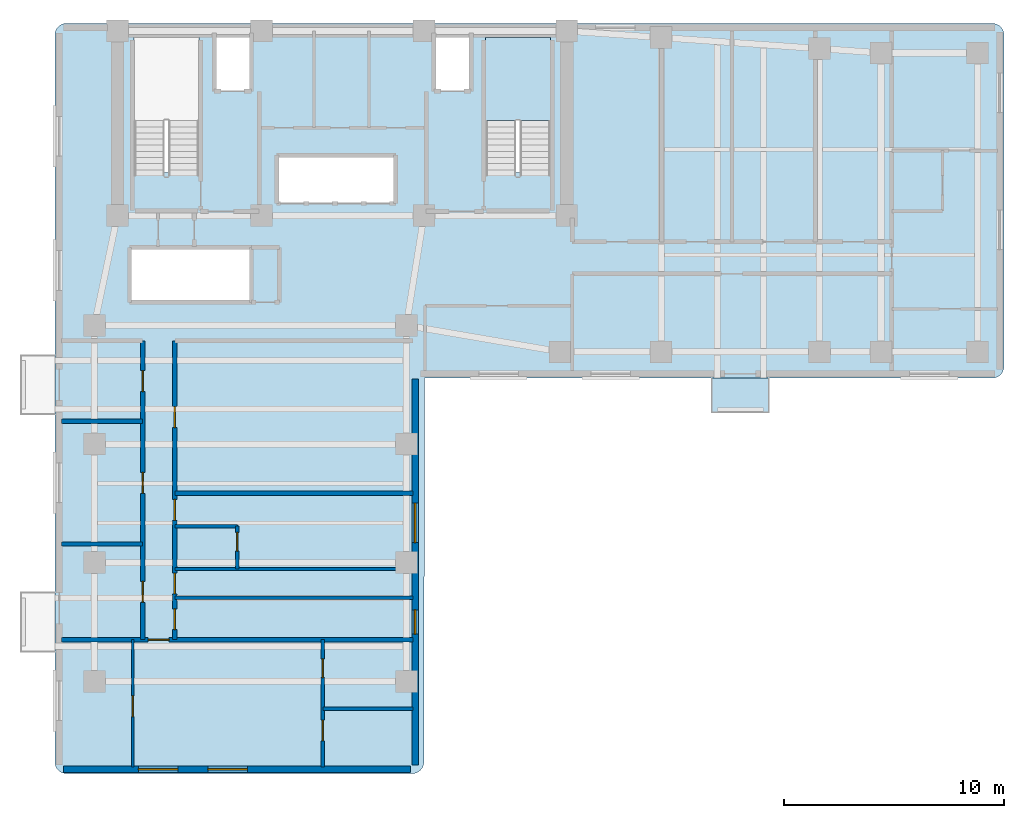
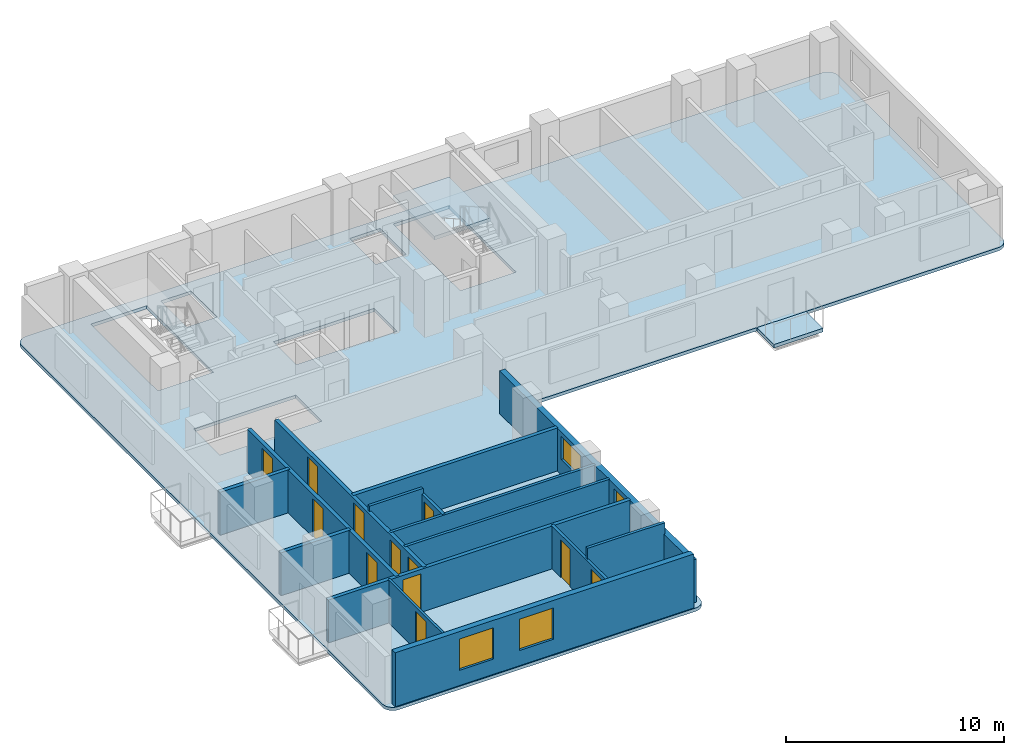
# One storey, part 2 of 7: 15 walls, 12 doors, 4 windows, 3 slabs, 16 openings, 1 element without a shape of its own.
"""IFC4 building model written with IfcOpenShell, lengths in metres."""

import ifcopenshell
import ifcopenshell.guid

model = None  # the IFC model being written
_history = None  # IfcOwnerHistory: only IFC2X3 demands one
_inside = {}  # id of a spatial element -> (the spatial element, [elements in it])
_under = {}  # id of a project, library or spatial element -> (it, [spatial elements below it])
_declared = {}  # id of a project -> (the project, [libraries it declares])
_typed = {}  # id of a type object -> (the type object, [elements of that type])
_made_of = {}  # id of a material, layer set ... -> (it, [elements and type objects made of it])


def new_model(schema):
    """Start an empty IFC model of exactly this schema.

    Asked for "IFC4X3", IfcOpenShell would pick the latest addendum, in which some entities
    have other attributes; the version numbers below select the first issue.
    IFC2X3 requires an IfcOwnerHistory on every rooted entity: one is made here for all.
    """
    global model, _history
    if schema == "IFC4X3":
        model = ifcopenshell.file(schema_version=(4, 3, 0, 0))
    else:
        model = ifcopenshell.file(schema=schema)
    _inside.clear()
    _under.clear()
    _declared.clear()
    _typed.clear()
    _made_of.clear()
    _history = None
    if model.schema == "IFC2X3":
        org = make("IfcOrganization", Name="unknown")
        user = make(
            "IfcPersonAndOrganization",
            ThePerson=make("IfcPerson", FamilyName="unknown"),
            TheOrganization=org,
        )
        app = make(
            "IfcApplication",
            ApplicationDeveloper=org,
            Version="unknown",
            ApplicationFullName="unknown",
            ApplicationIdentifier="unknown",
        )
        _history = make(
            "IfcOwnerHistory",
            OwningUser=user,
            OwningApplication=app,
            ChangeAction="ADDED",
            CreationDate=0,
        )
    return model


def make(cls, **values):
    """One entity of the class cls with the attributes given. An attribute that is None is left unset."""
    return model.create_entity(
        cls, **{name: value for name, value in values.items() if value is not None}
    )


def rooted(cls, **values):
    """An entity with a GlobalId (a new one), such as an element, a storey or a relation."""
    return make(cls, GlobalId=ifcopenshell.guid.new(), OwnerHistory=_history, **values)


def si_unit(unit_type, name, prefix=None):
    """IfcSIUnit, for example si_unit("LENGTHUNIT", "METRE", prefix="MILLI")."""
    return make("IfcSIUnit", UnitType=unit_type, Prefix=prefix, Name=name)


def assignment(units):
    """IfcUnitAssignment: the units of a project."""
    return None if units is None else make("IfcUnitAssignment", Units=units)


def point(xyz):
    """IfcCartesianPoint."""
    return None if xyz is None else make("IfcCartesianPoint", Coordinates=xyz)


def direction(xyz):
    """IfcDirection."""
    return None if xyz is None else make("IfcDirection", DirectionRatios=xyz)


def frame(location, z_axis=None, x_axis=None):
    """IfcAxis2Placement3D, a coordinate frame: its origin and axes. An axis left out is left unset."""
    return make(
        "IfcAxis2Placement3D",
        Location=point(location),
        Axis=direction(z_axis),
        RefDirection=direction(x_axis),
    )


def frame_2d(location, x_axis=None):
    """IfcAxis2Placement2D, a coordinate frame in the plane: its origin and x axis."""
    return make(
        "IfcAxis2Placement2D", Location=point(location), RefDirection=direction(x_axis)
    )


def origin():
    """The frame at (0, 0, 0) with its axes left unset."""
    return frame((0.0, 0.0, 0.0))


def place(relative_to, where):
    """IfcLocalPlacement: puts the frame where relative to a parent placement (None: the world)."""
    return make(
        "IfcLocalPlacement", PlacementRelTo=relative_to, RelativePlacement=where
    )


def context(
    kind, dimensions, precision=None, world=None, true_north=None, identifier=None
):
    """IfcGeometricRepresentationContext, for example the 3D "Model" context."""
    return make(
        "IfcGeometricRepresentationContext",
        ContextIdentifier=identifier,
        ContextType=kind,
        CoordinateSpaceDimension=dimensions,
        Precision=precision,
        WorldCoordinateSystem=world,
        TrueNorth=true_north,
    )


def subcontext(parent, identifier, kind, view, scale=None):
    """IfcGeometricRepresentationSubContext, for example "Body" below "Model"."""
    return make(
        "IfcGeometricRepresentationSubContext",
        ContextIdentifier=identifier,
        ContextType=kind,
        ParentContext=parent,
        TargetScale=scale,
        TargetView=view,
    )


def project(units=None, contexts=None):
    """IfcProject with its units and contexts."""
    return rooted(
        "IfcProject",
        Name="project",
        RepresentationContexts=contexts,
        UnitsInContext=assignment(units),
    )


def spatial(cls, under=None, at=None, **own):
    """A site, building, storey or space (cls), placed at a placement, below another one or the project."""
    s = rooted(cls, ObjectPlacement=at, **own)
    if under is not None:
        _under.setdefault(under.id(), (under, []))[1].append(s)
    return s


def polyline(points):
    """IfcPolyline through the points."""
    return make("IfcPolyline", Points=[point(p) for p in points])


def profile(cls, at=None, kind="AREA", **sizes):
    """A parametric profile (cls). Its sizes go by their IFC names, for example OverallWidth=200.0."""
    return make(cls, ProfileType=kind, Position=at, **sizes)


def rectangle(**sizes):
    """IfcRectangleProfileDef."""
    return profile("IfcRectangleProfileDef", **sizes)


def outline(outer, holes=None, kind="AREA"):
    """IfcArbitraryClosedProfileDef: a profile drawn as a closed curve; with holes, ...WithVoids."""
    if holes is None:
        return make("IfcArbitraryClosedProfileDef", ProfileType=kind, OuterCurve=outer)
    return make(
        "IfcArbitraryProfileDefWithVoids",
        ProfileType=kind,
        OuterCurve=outer,
        InnerCurves=holes,
    )


def extrude(swept, where, along, depth):
    """IfcExtrudedAreaSolid: the profile swept, set in the frame where, extruded along a direction by depth."""
    return make(
        "IfcExtrudedAreaSolid",
        SweptArea=swept,
        Position=where,
        ExtrudedDirection=direction(along),
        Depth=depth,
    )


def shape(context_of_items, identifier, shape_type, items):
    """IfcShapeRepresentation: the items that make up one representation, for example the "Body"."""
    return make(
        "IfcShapeRepresentation",
        ContextOfItems=context_of_items,
        RepresentationIdentifier=identifier,
        RepresentationType=shape_type,
        Items=items,
    )


def material(Name=None, Category=None):
    """IfcMaterial."""
    return make("IfcMaterial", Name=Name, Category=Category)


def layer(
    of_material, thickness, ventilated=None, Name=None, Category=None, Priority=None
):
    """IfcMaterialLayer: one layer of a wall or slab, of a material (None: an air gap)."""
    return make(
        "IfcMaterialLayer",
        Material=of_material,
        LayerThickness=thickness,
        IsVentilated=ventilated,
        Name=Name,
        Category=Category,
        Priority=Priority,
    )


def layer_set(layers, Name=None):
    """IfcMaterialLayerSet."""
    return make("IfcMaterialLayerSet", MaterialLayers=layers, LayerSetName=Name)


def made_of(thing, what):
    """Note that an element or type object is made of a material, layer set ...; save() writes the relation."""
    if what is not None:
        _made_of.setdefault(what.id(), (what, []))[1].append(thing)
    return thing


def type_object(cls, material=None, **own):
    """A type object (cls), such as IfcWallType, which elements share."""
    return made_of(rooted(cls, **own), material)


def element(
    cls,
    number,
    at=None,
    inside=None,
    cuts=None,
    type_object=None,
    material=None,
    context=None,
    identifier="Body",
    shape_type=None,
    held_by="IfcProductDefinitionShape",
    body=None,
    shapes=None,
    **own,
):
    """One element of the class cls, such as IfcWall. Its Tag is "e" and its number.

    at: its placement. inside: the storey or other place that contains it. cuts: it is an
    opening in that element (IfcRelVoidsElement). A single representation is given by context,
    identifier, shape_type and body (its items); several are given by shapes. held_by: the class
    of the entity that holds the representations. save() writes the other relations.
    """
    e = rooted(cls, Tag="e%d" % number, ObjectPlacement=at, **own)
    if body is not None:
        shapes = [shape(context, identifier, shape_type, body)]
    if shapes is not None:
        e.Representation = make(held_by, Representations=shapes)
    if inside is not None:
        _inside.setdefault(inside.id(), (inside, []))[1].append(e)
    if cuts is not None:
        rooted(
            "IfcRelVoidsElement", RelatingBuildingElement=cuts, RelatedOpeningElement=e
        )
    if type_object is not None:
        _typed.setdefault(type_object.id(), (type_object, []))[1].append(e)
    return made_of(e, material)


def fill(opening, filler):
    """IfcRelFillsElement: the door or window that sits in an opening."""
    return rooted(
        "IfcRelFillsElement",
        RelatingOpeningElement=opening,
        RelatedBuildingElement=filler,
    )


def aggregate(whole, parts):
    """IfcRelAggregates: a whole, such as a stair, and the parts it consists of."""
    return rooted("IfcRelAggregates", RelatingObject=whole, RelatedObjects=parts)


def save(model, path):
    """Write the relations noted so far, then the file.

    IfcRelAggregates (storeys below a building ...), IfcRelContainedInSpatialStructure (elements
    in a storey), IfcRelDefinesByType, IfcRelAssociatesMaterial and IfcRelDeclares: one each for
    every whole, place, type object, material and project.
    """
    for whole, parts in _under.values():
        aggregate(whole, parts)
    for where, things in _inside.values():
        rooted(
            "IfcRelContainedInSpatialStructure",
            RelatedElements=things,
            RelatingStructure=where,
        )
    for kind, things in _typed.values():
        rooted("IfcRelDefinesByType", RelatedObjects=things, RelatingType=kind)
    for what, things in _made_of.values():
        rooted("IfcRelAssociatesMaterial", RelatedObjects=things, RelatingMaterial=what)
    for by, libraries in _declared.values():
        rooted("IfcRelDeclares", RelatingContext=by, RelatedDefinitions=libraries)
    model.write(path)


model = new_model("IFC4")

# Units and contexts
model_context = context("Model", 3, precision=1e-05, world=origin(), true_north=direction((0.0, 1.0)))
body_context = subcontext(model_context, "Body", "Model", "MODEL_VIEW")
ifc_project = project(units=[si_unit("LENGTHUNIT", "METRE"), si_unit("AREAUNIT", "SQUARE_METRE"), si_unit("VOLUMEUNIT", "CUBIC_METRE"), si_unit("PLANEANGLEUNIT", "RADIAN"), si_unit("MASSUNIT", "GRAM", prefix="KILO")], contexts=[model_context])

# Site, building, storey
site_placement = place(None, origin())
site = spatial("IfcSite", under=ifc_project, at=site_placement, CompositionType="ELEMENT")
building_placement = place(site_placement, origin())
building = spatial("IfcBuilding", under=site, at=building_placement, Name="Kuzgunbayir Cultural Tower", CompositionType="ELEMENT")
storey_placement = place(building_placement, frame((0.0, 0.0, 113.800048828125)))
storey = spatial("IfcBuildingStorey", under=building, at=storey_placement, Name="L32", CompositionType="ELEMENT", Elevation=113.800048828125)

# Slab
ifc_material_1 = material(Name="Concrete C40/50", Category="concrete")
ifc_layer_1 = layer(ifc_material_1, 0.199951171875)
ifc_layer_set_1 = layer_set([ifc_layer_1], Name="Concrete C40/50")
slab_type_1 = type_object("IfcSlabType", Name="SLB-BAL-STONE", PredefinedType="FLOOR", material=ifc_layer_set_1)
slab_1_placement = place(storey_placement, frame((0.0, 0.0, -0.199951171875)))
element("IfcSlab", 1, at=slab_1_placement, inside=storey, type_object=slab_type_1, Name="L32 Projecting Limestone Balcony BAL-L32-WB2", PredefinedType="FLOOR", context=body_context, shape_type="SweptSolid", body=[
    extrude(outline(polyline([(33.5, 24.840087890625), (36.10009765625, 24.840087890625), (36.10009765625, 26.39990234375), (33.5, 26.39990234375), (33.5, 24.840087890625)])), origin(), (0.0, 0.0, 1.0), 0.199951171875),
])

# Stair, slab
stair_type = type_object("IfcStairType", Name="STR-EXIT-CORE", PredefinedType="HALF_TURN_STAIR", material=ifc_material_1)
stair_placement = place(storey_placement, origin())
stair = element("IfcStair", 2, at=stair_placement, inside=storey, type_object=stair_type, Name="L32 ST-2", PredefinedType="HALF_TURN_STAIR")
ifc_layer_2 = layer(ifc_material_1, 0.179931640625)
ifc_layer_set_2 = layer_set([ifc_layer_2], Name="Concrete C40/50")
slab_type_2 = type_object("IfcSlabType", Name="SLB-LANDING-180", PredefinedType="LANDING", material=ifc_layer_set_2)
slab_2_placement = place(storey_placement, frame((0.0, 0.0, 1.39990234375)))
slab_2 = element("IfcSlab", 3, at=slab_2_placement, type_object=slab_type_2, Name="ST-2 landing 1", PredefinedType="LANDING", context=body_context, shape_type="SweptSolid", body=[
    extrude(outline(polyline([(26.159912109375, 38.1201171875), (26.159912109375, 41.89990234375), (23.199951171875, 41.89990234375), (23.199951171875, 38.1201171875), (26.159912109375, 38.1201171875)])), origin(), (0.0, 0.0, 1.0), 0.199951171875),
])
aggregate(stair, [slab_2])

# Slab
ifc_layer_3 = layer(ifc_material_1, 0.179931640625)
ifc_layer_set_3 = layer_set([ifc_layer_3], Name="Concrete C40/50")
slab_type_3 = type_object("IfcSlabType", Name="SLB-TYP-180", PredefinedType="FLOOR", material=ifc_layer_set_3)
slab_3_placement = place(storey_placement, frame((0.0, 0.0, -0.179931640625)))
element("IfcSlab", 4, at=slab_3_placement, inside=storey, type_object=slab_type_3, Name="L32 Tower 1 Floor Slab T1-MAIN", PredefinedType="FLOOR", context=body_context, shape_type="SweptSolid", body=[
    extrude(outline(polyline([(20.39990234375, 8.949951171875), (20.389892578125, 8.840087890625), (20.360107421875, 8.739990234375), (20.31005859375, 8.639892578125), (20.239990234375, 8.56005859375), (20.159912109375, 8.489990234375), (20.06005859375, 8.43994140625), (19.9599609375, 8.409912109375), (19.85009765625, 8.39990234375), (4.14990234375, 8.39990234375), (4.0400390625, 8.409912109375), (3.93994140625, 8.43994140625), (3.840087890625, 8.489990234375), (3.760009765625, 8.56005859375), (3.68994140625, 8.639892578125), (3.639892578125, 8.739990234375), (3.610107421875, 8.840087890625), (3.60009765625, 8.949951171875), (3.60009765625, 42.0), (3.610107421875, 42.110107421875), (3.639892578125, 42.2099609375), (3.68994140625, 42.31005859375), (3.760009765625, 42.389892578125), (3.840087890625, 42.4599609375), (3.93994140625, 42.510009765625), (4.0400390625, 42.5400390625), (4.14990234375, 42.550048828125), (46.25, 42.550048828125), (46.360107421875, 42.5400390625), (46.4599609375, 42.510009765625), (46.56005859375, 42.4599609375), (46.639892578125, 42.389892578125), (46.7099609375, 42.31005859375), (46.760009765625, 42.2099609375), (46.7900390625, 42.110107421875), (46.800048828125, 42.0), (46.800048828125, 26.949951171875), (46.7900390625, 26.840087890625), (46.760009765625, 26.739990234375), (46.7099609375, 26.639892578125), (46.639892578125, 26.56005859375), (46.56005859375, 26.489990234375), (46.4599609375, 26.43994140625), (46.360107421875, 26.409912109375), (46.25, 26.39990234375), (20.429931640625, 26.39990234375), (20.39990234375, 8.949951171875)]), holes=[polyline([(7.199951171875, 35.760009765625), (7.199951171875, 41.89990234375), (10.159912109375, 41.89990234375), (10.159912109375, 35.760009765625), (7.199951171875, 35.760009765625)]), polyline([(23.199951171875, 35.760009765625), (23.199951171875, 41.89990234375), (26.159912109375, 41.89990234375), (26.159912109375, 35.760009765625), (23.199951171875, 35.760009765625)]), polyline([(13.75, 34.39990234375), (13.75, 36.5), (19.080078125, 36.5), (19.080078125, 34.39990234375), (13.75, 34.39990234375)]), polyline([(7.10009765625, 29.89990234375), (7.10009765625, 32.300048828125), (12.5, 32.300048828125), (12.5, 29.89990234375), (7.10009765625, 29.89990234375)]), polyline([(10.89990234375, 39.5), (10.89990234375, 41.89990234375), (12.5, 41.89990234375), (12.5, 39.5), (10.89990234375, 39.5)]), polyline([(20.89990234375, 39.5), (20.89990234375, 41.89990234375), (22.5, 41.89990234375), (22.5, 39.5), (20.89990234375, 39.5)])]), origin(), (0.0, 0.0, 1.0), 0.179931640625),
])

# Wall, openings, windows
ifc_material_2 = material(Name="Anatolian Cream Limestone", Category="masonry")
ifc_layer_4 = layer(ifc_material_2, 0.300048828125)
ifc_layer_set_4 = layer_set([ifc_layer_4], Name="Anatolian Cream Limestone")
wall_type_1 = type_object("IfcWallType", Name="WAL-EXT-STONE-300", PredefinedType="STANDARD", material=ifc_layer_set_4)
wall_1_placement = place(storey_placement, frame((4.0, 8.60009765625, 0.0), z_axis=(0.0, 0.0, 1.0), x_axis=(1.0, 0.0, 0.0)))
wall_1 = element("IfcWall", 5, at=wall_1_placement, inside=storey, type_object=wall_type_1, Name="L32 Wing A South Limestone Wall", PredefinedType="STANDARD", context=body_context, shape_type="SweptSolid", body=[
    extrude(rectangle(XDim=15.800048828125, YDim=0.300048828125, at=frame_2d((7.89990234375, 0.0))), origin(), (0.0, 0.0, 1.0), 3.02001953125),
])
opening_1_placement = place(wall_1_placement, frame((6.570068359375, 0.0, 0.85009765625)))
opening_1 = element("IfcOpeningElement", 6, at=opening_1_placement, cuts=wall_1, Name="Opening WH-18", PredefinedType="OPENING", context=body_context, shape_type="SweptSolid", body=[
    extrude(rectangle(XDim=1.800048828125, YDim=1.75, at=frame_2d((0.89990234375, 0.875))), frame((0.0, 0.16015625, 0.0), z_axis=(0.0, -1.0, 0.0), x_axis=(1.0, 0.0, 0.0)), (0.0, 0.0, 1.0), 0.320068359375),
])
opening_2_placement = place(wall_1_placement, frame((3.39990234375, 0.0, 0.85009765625)))
opening_2 = element("IfcOpeningElement", 7, at=opening_2_placement, cuts=wall_1, Name="Opening WH-18", PredefinedType="OPENING", context=body_context, shape_type="SweptSolid", body=[
    extrude(rectangle(XDim=1.800048828125, YDim=1.75, at=frame_2d((0.89990234375, 0.875))), frame((0.0, 0.16015625, 0.0), z_axis=(0.0, -1.0, 0.0), x_axis=(1.0, 0.0, 0.0)), (0.0, 0.0, 1.0), 0.320068359375),
])
ifc_material_3 = material(Name="Solar-Control Triple Glazing", Category="glass")
window_type_1 = type_object("IfcWindowType", Name="WIN-HOTEL-18", PartitioningType="SINGLE_PANEL", PredefinedType="WINDOW", material=ifc_material_3)
window_1_placement = place(opening_1_placement, origin())
window_1 = element("IfcWindow", 8, at=window_1_placement, inside=storey, type_object=window_type_1, Name="L32 WAS Facade Window 4", OverallHeight=1.75, OverallWidth=1.800048828125, PartitioningType="SINGLE_PANEL", PredefinedType="WINDOW", context=body_context, shape_type="SweptSolid", body=[
    extrude(rectangle(XDim=1.800048828125, YDim=1.75, at=frame_2d((0.89990234375, 0.875))), frame((0.0, 0.030029296875, 0.0), z_axis=(0.0, -1.0, 0.0), x_axis=(1.0, 0.0, 0.0)), (0.0, 0.0, 1.0), 0.06005859375),
])
fill(opening_1, window_1)
window_2_placement = place(opening_2_placement, origin())
window_2 = element("IfcWindow", 9, at=window_2_placement, inside=storey, type_object=window_type_1, Name="L32 WAS Facade Window 12", OverallHeight=1.75, OverallWidth=1.800048828125, PartitioningType="SINGLE_PANEL", PredefinedType="WINDOW", context=body_context, shape_type="SweptSolid", body=[
    extrude(rectangle(XDim=1.800048828125, YDim=1.75, at=frame_2d((0.89990234375, 0.875))), frame((0.0, 0.030029296875, 0.0), z_axis=(0.0, -1.0, 0.0), x_axis=(1.0, 0.0, 0.0)), (0.0, 0.0, 1.0), 0.06005859375),
])
fill(opening_2, window_2)

wall_2_placement = place(storey_placement, frame((20.0, 8.800048828125, 0.0), z_axis=(0.0, 0.0, 1.0), x_axis=(0.0, 1.0, 0.0)))
wall_2 = element("IfcWall", 10, at=wall_2_placement, inside=storey, type_object=wall_type_1, Name="L32 Wing A East Limestone Wall", PredefinedType="STANDARD", context=body_context, shape_type="SweptSolid", body=[
    extrude(rectangle(XDim=17.550048828125, YDim=0.300048828125, at=frame_2d((8.77490234375, 0.0))), origin(), (0.0, 0.0, 1.0), 2.39990234375),
])
opening_3_placement = place(wall_2_placement, frame((10.110107421875, 0.0, 0.85009765625)))
opening_3 = element("IfcOpeningElement", 11, at=opening_3_placement, cuts=wall_2, Name="Opening WH-18", PredefinedType="OPENING", context=body_context, shape_type="SweptSolid", body=[
    extrude(rectangle(XDim=1.800048828125, YDim=1.300048828125, at=frame_2d((0.89990234375, 0.64990234375))), frame((0.0, 0.16015625, 0.0), z_axis=(0.0, -1.0, 0.0), x_axis=(1.0, 0.0, 0.0)), (0.0, 0.0, 1.0), 0.320068359375),
])
opening_4_placement = place(wall_2_placement, frame((5.949951171875, 0.0, 0.85009765625)))
opening_4 = element("IfcOpeningElement", 12, at=opening_4_placement, cuts=wall_2, Name="Opening WN-11", PredefinedType="OPENING", context=body_context, shape_type="SweptSolid", body=[
    extrude(rectangle(XDim=1.10009765625, YDim=1.300048828125, at=frame_2d((0.550048828125, 0.64990234375))), frame((0.0, 0.16015625, 0.0), z_axis=(0.0, -1.0, 0.0), x_axis=(1.0, 0.0, 0.0)), (0.0, 0.0, 1.0), 0.320068359375),
])
window_3_placement = place(opening_3_placement, origin())
window_3 = element("IfcWindow", 13, at=window_3_placement, inside=storey, type_object=window_type_1, Name="L32 WAE Facade Window 5", OverallHeight=1.300048828125, OverallWidth=1.800048828125, PartitioningType="SINGLE_PANEL", PredefinedType="WINDOW", context=body_context, shape_type="SweptSolid", body=[
    extrude(rectangle(XDim=1.800048828125, YDim=1.300048828125, at=frame_2d((0.89990234375, 0.64990234375))), frame((0.0, 0.030029296875, 0.0), z_axis=(0.0, -1.0, 0.0), x_axis=(1.0, 0.0, 0.0)), (0.0, 0.0, 1.0), 0.06005859375),
])
fill(opening_3, window_3)
window_type_2 = type_object("IfcWindowType", Name="WIN-NARROW-11", PartitioningType="SINGLE_PANEL", PredefinedType="WINDOW", material=ifc_material_3)
window_4_placement = place(opening_4_placement, origin())
window_4 = element("IfcWindow", 14, at=window_4_placement, inside=storey, type_object=window_type_2, Name="L32 WAE Facade Window 11", OverallHeight=1.300048828125, OverallWidth=1.10009765625, PartitioningType="SINGLE_PANEL", PredefinedType="WINDOW", context=body_context, shape_type="SweptSolid", body=[
    extrude(rectangle(XDim=1.10009765625, YDim=1.300048828125, at=frame_2d((0.550048828125, 0.64990234375))), frame((0.0, 0.030029296875, 0.0), z_axis=(0.0, -1.0, 0.0), x_axis=(1.0, 0.0, 0.0)), (0.0, 0.0, 1.0), 0.06005859375),
])
fill(opening_4, window_4)

# Wall
ifc_material_4 = material(Name="Acoustic Double-Stud Drywall", Category="gypsum")
ifc_layer_5 = layer(ifc_material_4, 0.14990234375)
ifc_layer_set_5 = layer_set([ifc_layer_5], Name="Acoustic Double-Stud Drywall")
wall_type_2 = type_object("IfcWallType", Name="WAL-PART-ACOUSTIC-150", PredefinedType="PARTITIONING", material=ifc_layer_set_5)
wall_3_placement = place(storey_placement, frame((9.06005859375, 16.39990234375, 0.0), z_axis=(0.0, 0.0, 1.0), x_axis=(1.0, 0.0, 0.0)))
element("IfcWall", 15, at=wall_3_placement, inside=storey, type_object=wall_type_2, Name="L32 Housekeeping North Wall", PredefinedType="PARTITIONING", context=body_context, shape_type="SweptSolid", body=[
    extrude(rectangle(XDim=10.83984375, YDim=0.14990234375, at=frame_2d((5.419921875, 0.0))), origin(), (0.0, 0.0, 1.0), 2.39990234375),
])

# Wall, openings, doors
ifc_material_5 = material(Name="Aerated Concrete Blockwork", Category="masonry")
ifc_layer_6 = layer(ifc_material_5, 0.199951171875)
ifc_layer_set_6 = layer_set([ifc_layer_6], Name="Aerated Concrete Blockwork")
wall_type_3 = type_object("IfcWallType", Name="WAL-PART-FIRE-200", PredefinedType="PARTITIONING", material=ifc_layer_set_6)
wall_4_placement = place(storey_placement, frame((7.60009765625, 14.5, 0.0), z_axis=(0.0, 0.0, 1.0), x_axis=(0.0, 1.0, 0.0)))
wall_4 = element("IfcWall", 16, at=wall_4_placement, inside=storey, type_object=wall_type_3, Name="L32 Wing A West Corridor Wall", PredefinedType="PARTITIONING", context=body_context, shape_type="SweptSolid", body=[
    extrude(rectangle(XDim=13.60009765625, YDim=0.199951171875, at=frame_2d((6.800048828125, 0.0))), origin(), (0.0, 0.0, 1.0), 2.39990234375),
])
opening_5_placement = place(wall_4_placement, frame((1.699951171875, 0.0, 0.0)))
opening_5 = element("IfcOpeningElement", 17, at=opening_5_placement, cuts=wall_4, Name="Opening DI-90", PredefinedType="OPENING", context=body_context, shape_type="SweptSolid", body=[
    extrude(rectangle(XDim=0.949951171875, YDim=2.14990234375, at=frame_2d((0.47509765625, 1.074951171875))), frame((0.0, 0.10986328125, 0.0), z_axis=(0.0, -1.0, 0.0), x_axis=(1.0, 0.0, 0.0)), (0.0, 0.0, 1.0), 0.219970703125),
])
opening_6_placement = place(wall_4_placement, frame((6.659912109375, 0.0, 0.0)))
opening_6 = element("IfcOpeningElement", 18, at=opening_6_placement, cuts=wall_4, Name="Opening DI-90", PredefinedType="OPENING", context=body_context, shape_type="SweptSolid", body=[
    extrude(rectangle(XDim=0.949951171875, YDim=2.14990234375, at=frame_2d((0.47509765625, 1.074951171875))), frame((0.0, 0.10986328125, 0.0), z_axis=(0.0, -1.0, 0.0), x_axis=(1.0, 0.0, 0.0)), (0.0, 0.0, 1.0), 0.219970703125),
])
opening_7_placement = place(wall_4_placement, frame((11.2900390625, 0.0, 0.0)))
opening_7 = element("IfcOpeningElement", 19, at=opening_7_placement, cuts=wall_4, Name="Opening DI-90", PredefinedType="OPENING", context=body_context, shape_type="SweptSolid", body=[
    extrude(rectangle(XDim=0.949951171875, YDim=2.14990234375, at=frame_2d((0.47509765625, 1.074951171875))), frame((0.0, 0.10986328125, 0.0), z_axis=(0.0, -1.0, 0.0), x_axis=(1.0, 0.0, 0.0)), (0.0, 0.0, 1.0), 0.219970703125),
])
ifc_material_6 = material(Name="Veneered Oak Single Leaf", Category="wood")
door_type_1 = type_object("IfcDoorType", Name="DR-INT-90", OperationType="NOTDEFINED", PredefinedType="DOOR", material=ifc_material_6)
door_1_placement = place(opening_5_placement, origin())
door_1 = element("IfcDoor", 20, at=door_1_placement, inside=storey, type_object=door_type_1, Name="L32 Wellness Consultation Studio 1 Door", OperationType="SINGLE_SWING_LEFT", OverallHeight=2.14990234375, OverallWidth=0.949951171875, PredefinedType="DOOR", context=body_context, shape_type="SweptSolid", body=[
    extrude(rectangle(XDim=0.949951171875, YDim=2.14990234375, at=frame_2d((0.47509765625, 1.074951171875))), frame((0.0, 0.02490234375, 0.0), z_axis=(0.0, -1.0, 0.0), x_axis=(1.0, 0.0, 0.0)), (0.0, 0.0, 1.0), 0.050048828125),
])
fill(opening_5, door_1)
door_2_placement = place(opening_6_placement, origin())
door_2 = element("IfcDoor", 21, at=door_2_placement, inside=storey, type_object=door_type_1, Name="L32 Wellness Consultation Studio 2 Door", OperationType="SINGLE_SWING_RIGHT", OverallHeight=2.14990234375, OverallWidth=0.949951171875, PredefinedType="DOOR", context=body_context, shape_type="SweptSolid", body=[
    extrude(rectangle(XDim=0.949951171875, YDim=2.14990234375, at=frame_2d((0.47509765625, 1.074951171875))), frame((0.0, 0.02490234375, 0.0), z_axis=(0.0, -1.0, 0.0), x_axis=(1.0, 0.0, 0.0)), (0.0, 0.0, 1.0), 0.050048828125),
])
fill(opening_6, door_2)
door_3_placement = place(opening_7_placement, origin())
door_3 = element("IfcDoor", 22, at=door_3_placement, inside=storey, type_object=door_type_1, Name="L32 Wellness Consultation Studio 3 Door", OperationType="SINGLE_SWING_LEFT", OverallHeight=2.14990234375, OverallWidth=0.949951171875, PredefinedType="DOOR", context=body_context, shape_type="SweptSolid", body=[
    extrude(rectangle(XDim=0.949951171875, YDim=2.14990234375, at=frame_2d((0.47509765625, 1.074951171875))), frame((0.0, 0.02490234375, 0.0), z_axis=(0.0, -1.0, 0.0), x_axis=(1.0, 0.0, 0.0)), (0.0, 0.0, 1.0), 0.050048828125),
])
fill(opening_7, door_3)

wall_5_placement = place(storey_placement, frame((9.06005859375, 14.5, 0.0), z_axis=(0.0, 0.0, 1.0), x_axis=(0.0, 1.0, 0.0)))
wall_5 = element("IfcWall", 23, at=wall_5_placement, inside=storey, type_object=wall_type_3, Name="L32 Wing A East Corridor Wall", PredefinedType="PARTITIONING", context=body_context, shape_type="SweptSolid", body=[
    extrude(rectangle(XDim=13.60009765625, YDim=0.199951171875, at=frame_2d((6.800048828125, 0.0))), origin(), (0.0, 0.0, 1.0), 2.39990234375),
])
opening_8_placement = place(wall_5_placement, frame((0.449951171875, 0.0, 0.0)))
opening_8 = element("IfcOpeningElement", 24, at=opening_8_placement, cuts=wall_5, Name="Opening DI-90", PredefinedType="OPENING", context=body_context, shape_type="SweptSolid", body=[
    extrude(rectangle(XDim=0.949951171875, YDim=2.14990234375, at=frame_2d((0.47509765625, 1.074951171875))), frame((0.0, 0.10986328125, 0.0), z_axis=(0.0, -1.0, 0.0), x_axis=(1.0, 0.0, 0.0)), (0.0, 0.0, 1.0), 0.219970703125),
])
opening_9_placement = place(wall_5_placement, frame((2.080078125, 0.0, 0.0)))
opening_9 = element("IfcOpeningElement", 25, at=opening_9_placement, cuts=wall_5, Name="Opening DW-95", PredefinedType="OPENING", context=body_context, shape_type="SweptSolid", body=[
    extrude(rectangle(XDim=0.949951171875, YDim=2.10009765625, at=frame_2d((0.47509765625, 1.050048828125))), frame((0.0, 0.10986328125, 0.0), z_axis=(0.0, -1.0, 0.0), x_axis=(1.0, 0.0, 0.0)), (0.0, 0.0, 1.0), 0.219970703125),
])
opening_10_placement = place(wall_5_placement, frame((9.64990234375, 0.0, 0.0)))
opening_10 = element("IfcOpeningElement", 26, at=opening_10_placement, cuts=wall_5, Name="Opening DI-90", PredefinedType="OPENING", context=body_context, shape_type="SweptSolid", body=[
    extrude(rectangle(XDim=0.949951171875, YDim=2.14990234375, at=frame_2d((0.47509765625, 1.074951171875))), frame((0.0, 0.10986328125, 0.0), z_axis=(0.0, -1.0, 0.0), x_axis=(1.0, 0.0, 0.0)), (0.0, 0.0, 1.0), 0.219970703125),
])
opening_11_placement = place(wall_5_placement, frame((5.429931640625, 0.0, 0.0)))
opening_11 = element("IfcOpeningElement", 27, at=opening_11_placement, cuts=wall_5, Name="Opening DR-APT-60", PredefinedType="OPENING", context=body_context, shape_type="SweptSolid", body=[
    extrude(rectangle(XDim=0.949951171875, YDim=2.14990234375, at=frame_2d((0.47509765625, 1.074951171875))), frame((0.0, 0.10986328125, 0.0), z_axis=(0.0, -1.0, 0.0), x_axis=(1.0, 0.0, 0.0)), (0.0, 0.0, 1.0), 0.219970703125),
])
ifc_material_7 = material(Name="Acoustic Fire Timber Leaf", Category="wood")
door_type_2 = type_object("IfcDoorType", Name="DR-APT-60", OperationType="NOTDEFINED", PredefinedType="DOOR", material=ifc_material_7)
door_4_placement = place(opening_11_placement, origin())
door_4 = element("IfcDoor", 28, at=door_4_placement, inside=storey, type_object=door_type_2, Name="L32 Guest Suite E1 Entrance", OperationType="SINGLE_SWING_RIGHT", OverallHeight=2.14990234375, OverallWidth=0.949951171875, PredefinedType="DOOR", context=body_context, shape_type="SweptSolid", body=[
    extrude(rectangle(XDim=0.949951171875, YDim=2.14990234375, at=frame_2d((0.47509765625, 1.074951171875))), frame((0.0, 0.02490234375, 0.0), z_axis=(0.0, -1.0, 0.0), x_axis=(1.0, 0.0, 0.0)), (0.0, 0.0, 1.0), 0.050048828125),
])
fill(opening_11, door_4)
door_5_placement = place(opening_8_placement, origin())
door_5 = element("IfcDoor", 29, at=door_5_placement, inside=storey, type_object=door_type_1, Name="L32 Housekeeping Room Door", OperationType="SINGLE_SWING_RIGHT", OverallHeight=2.14990234375, OverallWidth=0.949951171875, PredefinedType="DOOR", context=body_context, shape_type="SweptSolid", body=[
    extrude(rectangle(XDim=0.949951171875, YDim=2.14990234375, at=frame_2d((0.47509765625, 1.074951171875))), frame((0.0, 0.02490234375, 0.0), z_axis=(0.0, -1.0, 0.0), x_axis=(1.0, 0.0, 0.0)), (0.0, 0.0, 1.0), 0.050048828125),
])
fill(opening_8, door_5)
door_6_placement = place(opening_10_placement, origin())
door_6 = element("IfcDoor", 30, at=door_6_placement, inside=storey, type_object=door_type_1, Name="L32 Wellness Consultation Studio E1 Door", OperationType="SINGLE_SWING_RIGHT", OverallHeight=2.14990234375, OverallWidth=0.949951171875, PredefinedType="DOOR", context=body_context, shape_type="SweptSolid", body=[
    extrude(rectangle(XDim=0.949951171875, YDim=2.14990234375, at=frame_2d((0.47509765625, 1.074951171875))), frame((0.0, 0.02490234375, 0.0), z_axis=(0.0, -1.0, 0.0), x_axis=(1.0, 0.0, 0.0)), (0.0, 0.0, 1.0), 0.050048828125),
])
fill(opening_10, door_6)
ifc_material_8 = material(Name="Laminate Moisture-Resistant Leaf", Category="wood")
door_type_3 = type_object("IfcDoorType", Name="DR-WET-95", OperationType="NOTDEFINED", PredefinedType="DOOR", material=ifc_material_8)
door_7_placement = place(opening_9_placement, origin())
door_7 = element("IfcDoor", 31, at=door_7_placement, inside=storey, type_object=door_type_3, Name="L32 Accessible WC Door", OperationType="SINGLE_SWING_LEFT", OverallHeight=2.10009765625, OverallWidth=0.949951171875, PredefinedType="DOOR", context=body_context, shape_type="SweptSolid", body=[
    extrude(rectangle(XDim=0.949951171875, YDim=2.10009765625, at=frame_2d((0.47509765625, 1.050048828125))), frame((0.0, 0.02490234375, 0.0), z_axis=(0.0, -1.0, 0.0), x_axis=(1.0, 0.0, 0.0)), (0.0, 0.0, 1.0), 0.050048828125),
])
fill(opening_9, door_7)

# Wall, opening, door
wall_6_placement = place(storey_placement, frame((3.89990234375, 14.5, 0.0), z_axis=(0.0, 0.0, 1.0), x_axis=(1.0, 0.0, 0.0)))
wall_6 = element("IfcWall", 32, at=wall_6_placement, inside=storey, type_object=wall_type_3, Name="L32 South Cross Partition", PredefinedType="PARTITIONING", context=body_context, shape_type="SweptSolid", body=[
    extrude(rectangle(XDim=16.0, YDim=0.199951171875, at=frame_2d((8.0, 0.0))), origin(), (0.0, 0.0, 1.0), 2.39990234375),
])
opening_12_placement = place(wall_6_placement, frame((3.949951171875, 0.0, 0.0)))
opening_12 = element("IfcOpeningElement", 33, at=opening_12_placement, cuts=wall_6, Name="Opening DR-APT-60", PredefinedType="OPENING", context=body_context, shape_type="SweptSolid", body=[
    extrude(rectangle(XDim=0.949951171875, YDim=2.14990234375, at=frame_2d((0.47509765625, 1.074951171875))), frame((0.0, 0.10986328125, 0.0), z_axis=(0.0, -1.0, 0.0), x_axis=(1.0, 0.0, 0.0)), (0.0, 0.0, 1.0), 0.219970703125),
])
door_8_placement = place(opening_12_placement, origin())
door_8 = element("IfcDoor", 34, at=door_8_placement, inside=storey, type_object=door_type_2, Name="L32 Diplomatic Suite Entrance", OperationType="SINGLE_SWING_RIGHT", OverallHeight=2.14990234375, OverallWidth=0.949951171875, PredefinedType="DOOR", context=body_context, shape_type="SweptSolid", body=[
    extrude(rectangle(XDim=0.949951171875, YDim=2.14990234375, at=frame_2d((0.47509765625, 1.074951171875))), frame((0.0, 0.02490234375, 0.0), z_axis=(0.0, -1.0, 0.0), x_axis=(1.0, 0.0, 0.0)), (0.0, 0.0, 1.0), 0.050048828125),
])
fill(opening_12, door_8)

# Walls
for number, where, z_axis, x_axis, name in (
    (35, (3.89990234375, 18.85009765625, 0.0), (0.0, 0.0, 1.0), (1.0, 0.0, 0.0), "L32 West Party Wall 1"),
    (36, (3.89990234375, 24.429931640625, 0.0), (0.0, 0.0, 1.0), (1.0, 0.0, 0.0), "L32 West Party Wall 2"),
):
    element("IfcWall", number, at=place(storey_placement, frame(where, z_axis=z_axis, x_axis=x_axis)), inside=storey, type_object=wall_type_3, Name=name, PredefinedType="PARTITIONING", context=body_context, shape_type="SweptSolid", body=[
        extrude(rectangle(XDim=3.7001953125, YDim=0.199951171875, at=frame_2d((1.85009765625, 0.0))), origin(), (0.0, 0.0, 1.0), 2.39990234375),
    ])
wall_7_placement = place(storey_placement, frame((9.06005859375, 21.159912109375, 0.0), z_axis=(0.0, 0.0, 1.0), x_axis=(1.0, 0.0, 0.0)))
element("IfcWall", 37, at=wall_7_placement, inside=storey, type_object=wall_type_3, Name="L32 Suite E1 Sub-Party Wall", PredefinedType="PARTITIONING", context=body_context, shape_type="SweptSolid", body=[
    extrude(rectangle(XDim=10.83984375, YDim=0.199951171875, at=frame_2d((5.419921875, 0.0))), origin(), (0.0, 0.0, 1.0), 2.39990234375),
])

# Wall, opening, door
ifc_material_9 = material(Name="Framed Gypsum Partition", Category="gypsum")
ifc_layer_7 = layer(ifc_material_9, 0.1201171875)
ifc_layer_set_7 = layer_set([ifc_layer_7], Name="Framed Gypsum Partition")
wall_type_4 = type_object("IfcWallType", Name="WAL-PART-INT-120", PredefinedType="PARTITIONING", material=ifc_layer_set_7)
wall_8_placement = place(storey_placement, frame((7.14990234375, 8.699951171875, 0.0), z_axis=(0.0, 0.0, 1.0), x_axis=(0.0, 1.0, 0.0)))
wall_8 = element("IfcWall", 38, at=wall_8_placement, inside=storey, type_object=wall_type_4, Name="L32 Diplomatic Suite Bedroom Wall", PredefinedType="PARTITIONING", context=body_context, shape_type="SweptSolid", body=[
    extrude(rectangle(XDim=5.800048828125, YDim=0.1201171875, at=frame_2d((2.89990234375, 0.0))), origin(), (0.0, 0.0, 1.0), 2.39990234375),
])
opening_13_placement = place(wall_8_placement, frame((2.2900390625, 0.0, 0.0)))
opening_13 = element("IfcOpeningElement", 39, at=opening_13_placement, cuts=wall_8, Name="Opening DI-90", PredefinedType="OPENING", context=body_context, shape_type="SweptSolid", body=[
    extrude(rectangle(XDim=0.949951171875, YDim=2.14990234375, at=frame_2d((0.47509765625, 1.074951171875))), frame((0.0, 0.070068359375, 0.0), z_axis=(0.0, -1.0, 0.0), x_axis=(1.0, 0.0, 0.0)), (0.0, 0.0, 1.0), 0.14013671875),
])
door_9_placement = place(opening_13_placement, origin())
door_9 = element("IfcDoor", 40, at=door_9_placement, inside=storey, type_object=door_type_1, Name="L32 Diplomatic Bedroom Door", OperationType="SINGLE_SWING_LEFT", OverallHeight=2.14990234375, OverallWidth=0.949951171875, PredefinedType="DOOR", context=body_context, shape_type="SweptSolid", body=[
    extrude(rectangle(XDim=0.949951171875, YDim=2.14990234375, at=frame_2d((0.47509765625, 1.074951171875))), frame((0.0, 0.02490234375, 0.0), z_axis=(0.0, -1.0, 0.0), x_axis=(1.0, 0.0, 0.0)), (0.0, 0.0, 1.0), 0.050048828125),
])
fill(opening_13, door_9)

# Wall, openings, doors
ifc_material_10 = material(Name="Moisture-Resistant Tile Partition", Category="gypsum")
ifc_layer_8 = layer(ifc_material_10, 0.14990234375)
ifc_layer_set_8 = layer_set([ifc_layer_8], Name="Moisture-Resistant Tile Partition")
wall_type_5 = type_object("IfcWallType", Name="WAL-PART-WET-150", PredefinedType="PARTITIONING", material=ifc_layer_set_8)
wall_9_placement = place(storey_placement, frame((15.800048828125, 8.699951171875, 0.0), z_axis=(0.0, 0.0, 1.0), x_axis=(0.0, 1.0, 0.0)))
wall_9 = element("IfcWall", 41, at=wall_9_placement, inside=storey, type_object=wall_type_5, Name="L32 Diplomatic Suite Service Wall", PredefinedType="PARTITIONING", context=body_context, shape_type="SweptSolid", body=[
    extrude(rectangle(XDim=5.800048828125, YDim=0.14990234375, at=frame_2d((2.89990234375, 0.0))), origin(), (0.0, 0.0, 1.0), 2.39990234375),
])
opening_14_placement = place(wall_9_placement, frame((1.18994140625, 0.0, 0.0)))
opening_14 = element("IfcOpeningElement", 42, at=opening_14_placement, cuts=wall_9, Name="Opening DI-90", PredefinedType="OPENING", context=body_context, shape_type="SweptSolid", body=[
    extrude(rectangle(XDim=0.949951171875, YDim=2.14990234375, at=frame_2d((0.47509765625, 1.074951171875))), frame((0.0, 0.0849609375, 0.0), z_axis=(0.0, -1.0, 0.0), x_axis=(1.0, 0.0, 0.0)), (0.0, 0.0, 1.0), 0.169921875),
])
opening_15_placement = place(wall_9_placement, frame((4.070068359375, 0.0, 0.0)))
opening_15 = element("IfcOpeningElement", 43, at=opening_15_placement, cuts=wall_9, Name="Opening DW-85", PredefinedType="OPENING", context=body_context, shape_type="SweptSolid", body=[
    extrude(rectangle(XDim=0.85009765625, YDim=2.10009765625, at=frame_2d((0.425048828125, 1.050048828125))), frame((0.0, 0.0849609375, 0.0), z_axis=(0.0, -1.0, 0.0), x_axis=(1.0, 0.0, 0.0)), (0.0, 0.0, 1.0), 0.169921875),
])
door_10_placement = place(opening_14_placement, origin())
door_10 = element("IfcDoor", 44, at=door_10_placement, inside=storey, type_object=door_type_1, Name="L32 Diplomatic Kitchen Door", OperationType="SINGLE_SWING_RIGHT", OverallHeight=2.14990234375, OverallWidth=0.949951171875, PredefinedType="DOOR", context=body_context, shape_type="SweptSolid", body=[
    extrude(rectangle(XDim=0.949951171875, YDim=2.14990234375, at=frame_2d((0.47509765625, 1.074951171875))), frame((0.0, 0.02490234375, 0.0), z_axis=(0.0, -1.0, 0.0), x_axis=(1.0, 0.0, 0.0)), (0.0, 0.0, 1.0), 0.050048828125),
])
fill(opening_14, door_10)
door_type_4 = type_object("IfcDoorType", Name="DR-WET-85", OperationType="NOTDEFINED", PredefinedType="DOOR", material=ifc_material_8)
door_11_placement = place(opening_15_placement, origin())
door_11 = element("IfcDoor", 45, at=door_11_placement, inside=storey, type_object=door_type_4, Name="L32 Diplomatic Bathroom Door", OperationType="SINGLE_SWING_LEFT", OverallHeight=2.10009765625, OverallWidth=0.85009765625, PredefinedType="DOOR", context=body_context, shape_type="SweptSolid", body=[
    extrude(rectangle(XDim=0.85009765625, YDim=2.10009765625, at=frame_2d((0.425048828125, 1.050048828125))), frame((0.0, 0.02490234375, 0.0), z_axis=(0.0, -1.0, 0.0), x_axis=(1.0, 0.0, 0.0)), (0.0, 0.0, 1.0), 0.050048828125),
])
fill(opening_15, door_11)

# Walls
wall_10_placement = place(storey_placement, frame((15.800048828125, 11.35009765625, 0.0), z_axis=(0.0, 0.0, 1.0), x_axis=(1.0, 0.0, 0.0)))
element("IfcWall", 46, at=wall_10_placement, inside=storey, type_object=wall_type_5, Name="L32 Diplomatic Suite Bath Kitchen Divider", PredefinedType="PARTITIONING", context=body_context, shape_type="SweptSolid", body=[
    extrude(rectangle(XDim=4.099853515625, YDim=0.14990234375, at=frame_2d((2.0498046875, 0.0))), origin(), (0.0, 0.0, 1.0), 3.02001953125),
])
wall_11_placement = place(storey_placement, frame((9.06005859375, 17.7099609375, 0.0), z_axis=(0.0, 0.0, 1.0), x_axis=(1.0, 0.0, 0.0)))
element("IfcWall", 47, at=wall_11_placement, inside=storey, type_object=wall_type_5, Name="L32 Accessible WC North Wall", PredefinedType="PARTITIONING", context=body_context, shape_type="SweptSolid", body=[
    extrude(rectangle(XDim=10.83984375, YDim=0.14990234375, at=frame_2d((5.419921875, 0.0))), origin(), (0.0, 0.0, 1.0), 2.39990234375),
])
wall_12_placement = place(storey_placement, frame((9.06005859375, 19.659912109375, 0.0), z_axis=(0.0, 0.0, 1.0), x_axis=(1.0, 0.0, 0.0)))
element("IfcWall", 48, at=wall_12_placement, inside=storey, type_object=wall_type_5, Name="L32 Suite E1 En-Suite North Wall", PredefinedType="PARTITIONING", context=body_context, shape_type="SweptSolid", body=[
    extrude(rectangle(XDim=2.849853515625, YDim=0.14990234375, at=frame_2d((1.4248046875, 0.0))), origin(), (0.0, 0.0, 1.0), 2.699951171875),
])

# Wall, opening, door
wall_13_placement = place(storey_placement, frame((11.909912109375, 17.7099609375, 0.0), z_axis=(0.0, 0.0, 1.0), x_axis=(0.0, 1.0, 0.0)))
wall_13 = element("IfcWall", 49, at=wall_13_placement, inside=storey, type_object=wall_type_5, Name="L32 Suite E1 En-Suite East Wall", PredefinedType="PARTITIONING", context=body_context, shape_type="SweptSolid", body=[
    extrude(rectangle(XDim=1.949951171875, YDim=0.14990234375, at=frame_2d((0.97509765625, 0.0))), origin(), (0.0, 0.0, 1.0), 2.39990234375),
])
opening_16_placement = place(wall_13_placement, frame((0.820068359375, 0.0, 0.0)))
opening_16 = element("IfcOpeningElement", 50, at=opening_16_placement, cuts=wall_13, Name="Opening DW-85", PredefinedType="OPENING", context=body_context, shape_type="SweptSolid", body=[
    extrude(rectangle(XDim=0.85009765625, YDim=2.10009765625, at=frame_2d((0.425048828125, 1.050048828125))), frame((0.0, 0.0849609375, 0.0), z_axis=(0.0, -1.0, 0.0), x_axis=(1.0, 0.0, 0.0)), (0.0, 0.0, 1.0), 0.169921875),
])
door_12_placement = place(opening_16_placement, origin())
door_12 = element("IfcDoor", 51, at=door_12_placement, inside=storey, type_object=door_type_4, Name="L32 Suite E1 En-Suite Door", OperationType="SINGLE_SWING_LEFT", OverallHeight=2.10009765625, OverallWidth=0.85009765625, PredefinedType="DOOR", context=body_context, shape_type="SweptSolid", body=[
    extrude(rectangle(XDim=0.85009765625, YDim=2.10009765625, at=frame_2d((0.425048828125, 1.050048828125))), frame((0.0, 0.02490234375, 0.0), z_axis=(0.0, -1.0, 0.0), x_axis=(1.0, 0.0, 0.0)), (0.0, 0.0, 1.0), 0.050048828125),
])
fill(opening_16, door_12)

save(model, "model.ifc")
